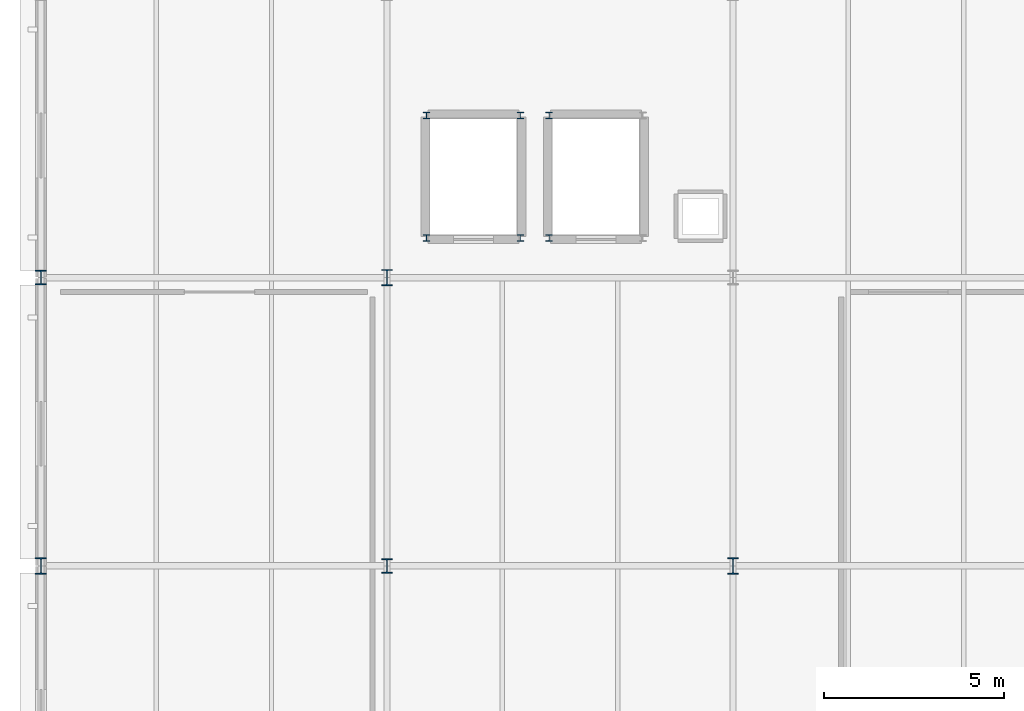
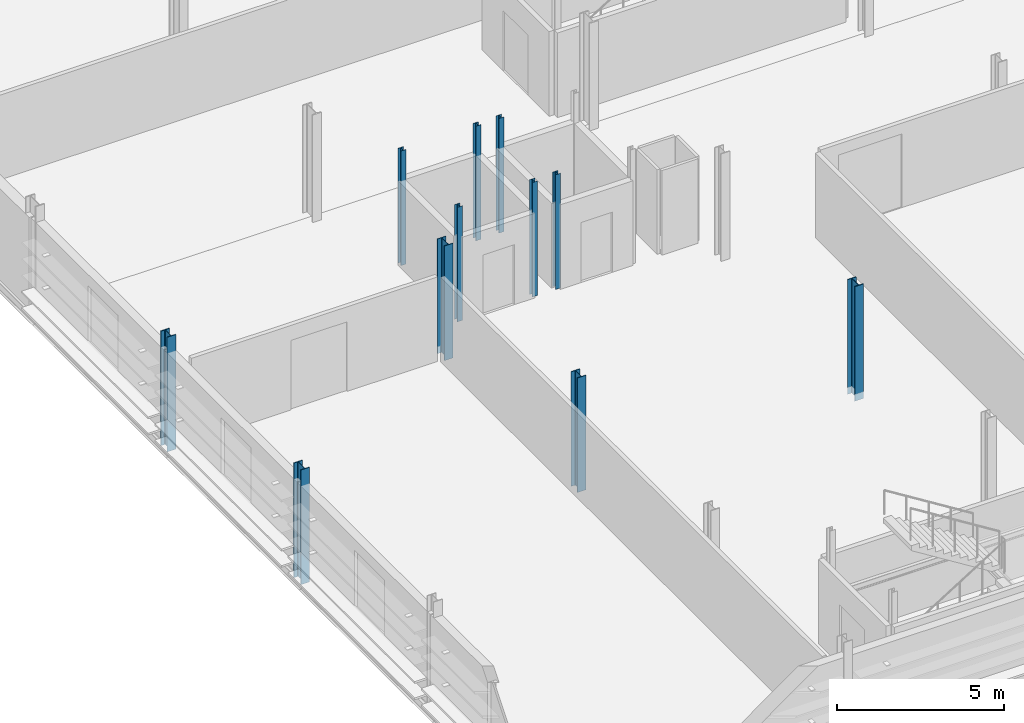
# One storey, part 7 of 85: 11 columns.
"""IFC4 building model written with IfcOpenShell, lengths in metres."""

import ifcopenshell
import ifcopenshell.guid

model = None  # the IFC model being written
_history = None  # IfcOwnerHistory: only IFC2X3 demands one
_inside = {}  # id of a spatial element -> (the spatial element, [elements in it])
_under = {}  # id of a project, library or spatial element -> (it, [spatial elements below it])
_declared = {}  # id of a project -> (the project, [libraries it declares])
_typed = {}  # id of a type object -> (the type object, [elements of that type])
_made_of = {}  # id of a material, layer set ... -> (it, [elements and type objects made of it])


def new_model(schema):
    """Start an empty IFC model of exactly this schema.

    Asked for "IFC4X3", IfcOpenShell would pick the latest addendum, in which some entities
    have other attributes; the version numbers below select the first issue.
    IFC2X3 requires an IfcOwnerHistory on every rooted entity: one is made here for all.
    """
    global model, _history
    if schema == "IFC4X3":
        model = ifcopenshell.file(schema_version=(4, 3, 0, 0))
    else:
        model = ifcopenshell.file(schema=schema)
    _inside.clear()
    _under.clear()
    _declared.clear()
    _typed.clear()
    _made_of.clear()
    _history = None
    if model.schema == "IFC2X3":
        org = make("IfcOrganization", Name="unknown")
        user = make(
            "IfcPersonAndOrganization",
            ThePerson=make("IfcPerson", FamilyName="unknown"),
            TheOrganization=org,
        )
        app = make(
            "IfcApplication",
            ApplicationDeveloper=org,
            Version="unknown",
            ApplicationFullName="unknown",
            ApplicationIdentifier="unknown",
        )
        _history = make(
            "IfcOwnerHistory",
            OwningUser=user,
            OwningApplication=app,
            ChangeAction="ADDED",
            CreationDate=0,
        )
    return model


def make(cls, **values):
    """One entity of the class cls with the attributes given. An attribute that is None is left unset."""
    return model.create_entity(
        cls, **{name: value for name, value in values.items() if value is not None}
    )


def rooted(cls, **values):
    """An entity with a GlobalId (a new one), such as an element, a storey or a relation."""
    return make(cls, GlobalId=ifcopenshell.guid.new(), OwnerHistory=_history, **values)


def si_unit(unit_type, name, prefix=None):
    """IfcSIUnit, for example si_unit("LENGTHUNIT", "METRE", prefix="MILLI")."""
    return make("IfcSIUnit", UnitType=unit_type, Prefix=prefix, Name=name)


def assignment(units):
    """IfcUnitAssignment: the units of a project."""
    return None if units is None else make("IfcUnitAssignment", Units=units)


def point(xyz):
    """IfcCartesianPoint."""
    return None if xyz is None else make("IfcCartesianPoint", Coordinates=xyz)


def direction(xyz):
    """IfcDirection."""
    return None if xyz is None else make("IfcDirection", DirectionRatios=xyz)


def frame(location, z_axis=None, x_axis=None):
    """IfcAxis2Placement3D, a coordinate frame: its origin and axes. An axis left out is left unset."""
    return make(
        "IfcAxis2Placement3D",
        Location=point(location),
        Axis=direction(z_axis),
        RefDirection=direction(x_axis),
    )


def frame_2d(location, x_axis=None):
    """IfcAxis2Placement2D, a coordinate frame in the plane: its origin and x axis."""
    return make(
        "IfcAxis2Placement2D", Location=point(location), RefDirection=direction(x_axis)
    )


def origin():
    """The frame at (0, 0, 0) with its axes left unset."""
    return frame((0.0, 0.0, 0.0))


def origin_2d():
    """The frame at (0, 0) in the plane with its x axis left unset."""
    return frame_2d((0.0, 0.0))


def place(relative_to, where):
    """IfcLocalPlacement: puts the frame where relative to a parent placement (None: the world)."""
    return make(
        "IfcLocalPlacement", PlacementRelTo=relative_to, RelativePlacement=where
    )


def context(
    kind, dimensions, precision=None, world=None, true_north=None, identifier=None
):
    """IfcGeometricRepresentationContext, for example the 3D "Model" context."""
    return make(
        "IfcGeometricRepresentationContext",
        ContextIdentifier=identifier,
        ContextType=kind,
        CoordinateSpaceDimension=dimensions,
        Precision=precision,
        WorldCoordinateSystem=world,
        TrueNorth=true_north,
    )


def subcontext(parent, identifier, kind, view, scale=None):
    """IfcGeometricRepresentationSubContext, for example "Body" below "Model"."""
    return make(
        "IfcGeometricRepresentationSubContext",
        ContextIdentifier=identifier,
        ContextType=kind,
        ParentContext=parent,
        TargetScale=scale,
        TargetView=view,
    )


def project(units=None, contexts=None):
    """IfcProject with its units and contexts."""
    return rooted(
        "IfcProject",
        Name="project",
        RepresentationContexts=contexts,
        UnitsInContext=assignment(units),
    )


def spatial(cls, under=None, at=None, **own):
    """A site, building, storey or space (cls), placed at a placement, below another one or the project."""
    s = rooted(cls, ObjectPlacement=at, **own)
    if under is not None:
        _under.setdefault(under.id(), (under, []))[1].append(s)
    return s


def profile(cls, at=None, kind="AREA", **sizes):
    """A parametric profile (cls). Its sizes go by their IFC names, for example OverallWidth=200.0."""
    return make(cls, ProfileType=kind, Position=at, **sizes)


def i_section(**sizes):
    """IfcIShapeProfileDef."""
    return profile("IfcIShapeProfileDef", **sizes)


def extrude(swept, where, along, depth):
    """IfcExtrudedAreaSolid: the profile swept, set in the frame where, extruded along a direction by depth."""
    return make(
        "IfcExtrudedAreaSolid",
        SweptArea=swept,
        Position=where,
        ExtrudedDirection=direction(along),
        Depth=depth,
    )


def shape(context_of_items, identifier, shape_type, items):
    """IfcShapeRepresentation: the items that make up one representation, for example the "Body"."""
    return make(
        "IfcShapeRepresentation",
        ContextOfItems=context_of_items,
        RepresentationIdentifier=identifier,
        RepresentationType=shape_type,
        Items=items,
    )


def material(Name=None, Category=None):
    """IfcMaterial."""
    return make("IfcMaterial", Name=Name, Category=Category)


def material_profile(
    of_material, cross_section, Name=None, Category=None, Priority=None
):
    """IfcMaterialProfile: a cross section and its material."""
    return make(
        "IfcMaterialProfile",
        Name=Name,
        Material=of_material,
        Profile=cross_section,
        Priority=Priority,
        Category=Category,
    )


def profile_set(profiles, Name=None, composite=None):
    """IfcMaterialProfileSet."""
    return make(
        "IfcMaterialProfileSet",
        Name=Name,
        MaterialProfiles=profiles,
        CompositeProfile=composite,
    )


def made_of(thing, what):
    """Note that an element or type object is made of a material, layer set ...; save() writes the relation."""
    if what is not None:
        _made_of.setdefault(what.id(), (what, []))[1].append(thing)
    return thing


def type_object(cls, material=None, **own):
    """A type object (cls), such as IfcWallType, which elements share."""
    return made_of(rooted(cls, **own), material)


def element(
    cls,
    number,
    at=None,
    inside=None,
    cuts=None,
    type_object=None,
    material=None,
    context=None,
    identifier="Body",
    shape_type=None,
    held_by="IfcProductDefinitionShape",
    body=None,
    shapes=None,
    **own,
):
    """One element of the class cls, such as IfcWall. Its Tag is "e" and its number.

    at: its placement. inside: the storey or other place that contains it. cuts: it is an
    opening in that element (IfcRelVoidsElement). A single representation is given by context,
    identifier, shape_type and body (its items); several are given by shapes. held_by: the class
    of the entity that holds the representations. save() writes the other relations.
    """
    e = rooted(cls, Tag="e%d" % number, ObjectPlacement=at, **own)
    if body is not None:
        shapes = [shape(context, identifier, shape_type, body)]
    if shapes is not None:
        e.Representation = make(held_by, Representations=shapes)
    if inside is not None:
        _inside.setdefault(inside.id(), (inside, []))[1].append(e)
    if cuts is not None:
        rooted(
            "IfcRelVoidsElement", RelatingBuildingElement=cuts, RelatedOpeningElement=e
        )
    if type_object is not None:
        _typed.setdefault(type_object.id(), (type_object, []))[1].append(e)
    return made_of(e, material)


def aggregate(whole, parts):
    """IfcRelAggregates: a whole, such as a stair, and the parts it consists of."""
    return rooted("IfcRelAggregates", RelatingObject=whole, RelatedObjects=parts)


def save(model, path):
    """Write the relations noted so far, then the file.

    IfcRelAggregates (storeys below a building ...), IfcRelContainedInSpatialStructure (elements
    in a storey), IfcRelDefinesByType, IfcRelAssociatesMaterial and IfcRelDeclares: one each for
    every whole, place, type object, material and project.
    """
    for whole, parts in _under.values():
        aggregate(whole, parts)
    for where, things in _inside.values():
        rooted(
            "IfcRelContainedInSpatialStructure",
            RelatedElements=things,
            RelatingStructure=where,
        )
    for kind, things in _typed.values():
        rooted("IfcRelDefinesByType", RelatedObjects=things, RelatingType=kind)
    for what, things in _made_of.values():
        rooted("IfcRelAssociatesMaterial", RelatedObjects=things, RelatingMaterial=what)
    for by, libraries in _declared.values():
        rooted("IfcRelDeclares", RelatingContext=by, RelatedDefinitions=libraries)
    model.write(path)


model = new_model("IFC4")

# Units and contexts
model_context = context("Model", 3, precision=1e-05, world=origin(), true_north=direction((0.0, 1.0)))
body_context = subcontext(model_context, "Body", "Model", "MODEL_VIEW")
ifc_project = project(units=[si_unit("LENGTHUNIT", "METRE"), si_unit("AREAUNIT", "SQUARE_METRE"), si_unit("VOLUMEUNIT", "CUBIC_METRE"), si_unit("PLANEANGLEUNIT", "RADIAN"), si_unit("MASSUNIT", "GRAM", prefix="KILO")], contexts=[model_context])

# Site, building, storey
site_placement = place(None, origin())
site = spatial("IfcSite", under=ifc_project, at=site_placement, CompositionType="ELEMENT")
building_placement = place(site_placement, origin())
building = spatial("IfcBuilding", under=site, at=building_placement, Name="Alderhovde Museum", CompositionType="ELEMENT")
storey_placement = place(building_placement, frame((0.0, 0.0, 8.699951171875)))
storey = spatial("IfcBuildingStorey", under=building, at=storey_placement, Name="L02", CompositionType="ELEMENT", Elevation=8.699951171875)

# Columns
ifc_material_1 = material(Name="Steel S355J2", Category="steel")
ifc_material_profile_1 = material_profile(ifc_material_1, i_section(OverallWidth=0.179931640625, OverallDepth=0.1708984375, WebThickness=0.006103515625, FlangeThickness=0.009521484375, FilletRadius=0.014892578125, at=origin_2d()), Name="HEA 180")
ifc_profile_set_1 = profile_set([ifc_material_profile_1], Name="Steel S355J2")
column_type_1 = type_object("IfcColumnType", Name="COL-HEA180", PredefinedType="COLUMN", material=ifc_profile_set_1)
for number, where, z_axis, x_axis, name in (
    (1, (20.300048828125, 73.10009765625, 0.0), (0.0, 0.0, 1.0), (1.0, 0.0, 0.0), "L02 Lift PL-01 Shaft Column 1"),
    (2, (22.89990234375, 73.10009765625, 0.0), (0.0, 0.0, 1.0), (1.0, 0.0, 0.0), "L02 Lift PL-01 Shaft Column 2"),
    (3, (22.89990234375, 76.5, 0.0), (0.0, 0.0, 1.0), (1.0, 0.0, 0.0), "L02 Lift PL-01 Shaft Column 3"),
    (4, (20.300048828125, 76.5, 0.0), (0.0, 0.0, 1.0), (1.0, 0.0, 0.0), "L02 Lift PL-01 Shaft Column 4"),
    (5, (23.699951171875, 73.10009765625, 0.0), (0.0, 0.0, 1.0), (1.0, 0.0, 0.0), "L02 Lift PL-02 Shaft Column 1"),
    (6, (23.699951171875, 76.5, 0.0), (0.0, 0.0, 1.0), (1.0, 0.0, 0.0), "L02 Lift PL-02 Shaft Column 4"),
):
    element("IfcColumn", number, at=place(storey_placement, frame(where, z_axis=z_axis, x_axis=x_axis)), inside=storey, type_object=column_type_1, Name=name, PredefinedType="COLUMN", context=body_context, shape_type="SweptSolid", body=[
        extrude(i_section(OverallWidth=0.179931640625, OverallDepth=0.1708984375, WebThickness=0.006103515625, FlangeThickness=0.009521484375, FilletRadius=0.014892578125, at=origin_2d()), origin(), (0.0, 0.0, 1.0), 4.199951171875),
    ])
ifc_material_2 = material(Name="Steel S355J2", Category="steel")
ifc_material_profile_2 = material_profile(ifc_material_2, i_section(OverallWidth=0.300048828125, OverallDepth=0.39990234375, WebThickness=0.013427734375, FlangeThickness=0.02392578125, FilletRadius=0.027099609375, at=origin_2d()), Name="HEB 400")
ifc_profile_set_2 = profile_set([ifc_material_profile_2], Name="Steel S355J2")
column_type_2 = type_object("IfcColumnType", Name="COL-HEB400", PredefinedType="COLUMN", material=ifc_profile_set_2)
for number, where, z_axis, x_axis, name in (
    (7, (9.60009765625, 72.0, -0.260009765625), (0.0, 0.0, 1.0), (1.0, 0.0, 0.0), "L02 Column (9.6, 72.0)"),
    (8, (19.199951171875, 64.0, -0.260009765625), (0.0, 0.0, 1.0), (1.0, 0.0, 0.0), "L02 Column (19.2, 64.0)"),
):
    element("IfcColumn", number, at=place(storey_placement, frame(where, z_axis=z_axis, x_axis=x_axis)), inside=storey, type_object=column_type_2, Name=name, PredefinedType="COLUMN", context=body_context, shape_type="SweptSolid", body=[
        extrude(i_section(OverallWidth=0.300048828125, OverallDepth=0.39990234375, WebThickness=0.013427734375, FlangeThickness=0.02392578125, FilletRadius=0.027099609375, at=origin_2d()), origin(), (0.0, 0.0, 1.0), 4.199951171875),
    ])
ifc_material_3 = material(Name="Steel S355J2", Category="steel")
ifc_material_profile_3 = material_profile(ifc_material_3, i_section(OverallWidth=0.300048828125, OverallDepth=0.449951171875, WebThickness=0.013916015625, FlangeThickness=0.02587890625, FilletRadius=0.027099609375, at=origin_2d()), Name="HEB 450")
ifc_profile_set_3 = profile_set([ifc_material_profile_3], Name="Steel S355J2")
column_type_3 = type_object("IfcColumnType", Name="COL-HEB450", PredefinedType="COLUMN", material=ifc_profile_set_3)
for number, where, z_axis, x_axis, name in (
    (9, (9.60009765625, 64.0, -0.260009765625), (0.0, 0.0, 1.0), (1.0, 0.0, 0.0), "L02 Column (9.6, 64.0)"),
    (10, (19.199951171875, 72.0, -0.260009765625), (0.0, 0.0, 1.0), (1.0, 0.0, 0.0), "L02 Column (19.2, 72.0)"),
    (11, (28.800048828125, 64.0, -0.260009765625), (0.0, 0.0, 1.0), (1.0, 0.0, 0.0), "L02 Column (28.8, 64.0)"),
):
    element("IfcColumn", number, at=place(storey_placement, frame(where, z_axis=z_axis, x_axis=x_axis)), inside=storey, type_object=column_type_3, Name=name, PredefinedType="COLUMN", context=body_context, shape_type="SweptSolid", body=[
        extrude(i_section(OverallWidth=0.300048828125, OverallDepth=0.449951171875, WebThickness=0.013916015625, FlangeThickness=0.02587890625, FilletRadius=0.027099609375, at=origin_2d()), origin(), (0.0, 0.0, 1.0), 4.199951171875),
    ])

save(model, "model.ifc")
